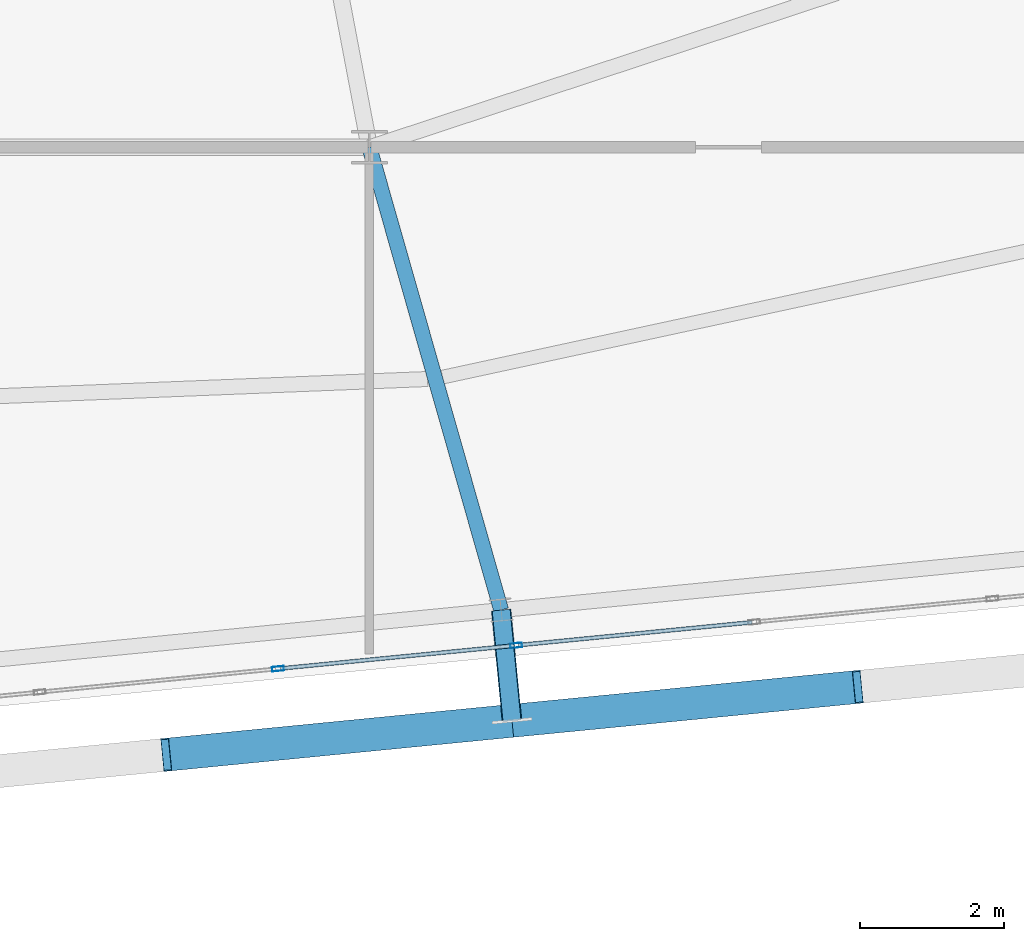
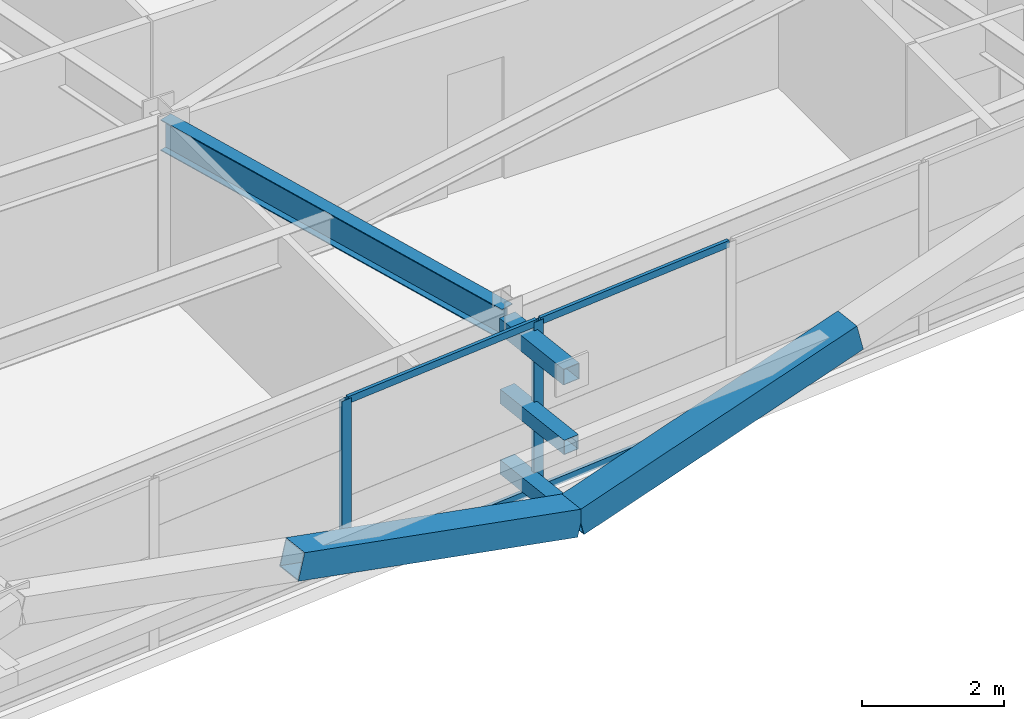
# One storey, part 17 of 53: 11 members, 1 beam, 1 element without a shape of its own.
"""IFC4 building model written with IfcOpenShell, lengths in metres."""

from ifc_helpers import new_model, si_unit, direction, frame, origin, origin_2d, place, context, subcontext, project, spatial, hollow_rectangle, i_section, extrude, source, transform, mapped, material, layer, layer_set, material_profile, profile_set, type_object, element, aggregate, save


model = new_model("IFC4")

# Units and contexts
model_context = context("Model", 3, precision=1e-05, world=origin(), true_north=direction((0.0, 1.0)))
body_context = subcontext(model_context, "Body", "Model", "MODEL_VIEW")
ifc_project = project(units=[si_unit("LENGTHUNIT", "METRE"), si_unit("AREAUNIT", "SQUARE_METRE"), si_unit("VOLUMEUNIT", "CUBIC_METRE"), si_unit("PLANEANGLEUNIT", "RADIAN"), si_unit("MASSUNIT", "GRAM", prefix="KILO")], contexts=[model_context])

# Site, building, storey
site_placement = place(None, origin())
site = spatial("IfcSite", under=ifc_project, at=site_placement, CompositionType="ELEMENT")
building_placement = place(site_placement, origin())
building = spatial("IfcBuilding", under=site, at=building_placement, Name="Taldren Reach Tower", CompositionType="ELEMENT")
storey_placement = place(building_placement, frame((0.0, 0.0, 84.0)))
storey = spatial("IfcBuildingStorey", under=building, at=storey_placement, Name="L25", CompositionType="ELEMENT", Elevation=84.0)

# Members
ifc_material_1 = material(Name="Steel Gr 450 (C450L0)", Category="steel")
ifc_material_profile_1 = material_profile(ifc_material_1, hollow_rectangle(XDim=0.27490234375, YDim=0.27490234375, WallThickness=0.00927734375, at=origin_2d()), Name="275x275x9.3SHS")
ifc_profile_set_1 = profile_set([ifc_material_profile_1], Name="Steel Gr 450 (C450L0)")
member_type_1 = type_object("IfcMemberType", Name="MB-TIE273", PredefinedType="STRUT", material=ifc_profile_set_1)
shared_shape_1 = source(origin(), body_context, "Body", "SweptSolid", [
    extrude(hollow_rectangle(XDim=0.27490234375, YDim=0.27490234375, WallThickness=0.00927734375, at=origin_2d()), origin(), (0.0, 0.0, 1.0), 1.5498046875),
])
member_1_placement = place(storey_placement, frame((43.83544921875, 2.75390625, 2.64990234375), z_axis=(0.097663201064, -0.995219523099, 0.0), x_axis=(0.995219523099, 0.097663201064, 0.0)))
element("IfcMember", 1, at=member_1_placement, inside=storey, type_object=member_type_1, Name="Exoskeleton diaphragm tie strut B2-S4 L25", PredefinedType="STRUT", context=body_context, shape_type="MappedRepresentation", body=[
    mapped(shared_shape_1, transform((0.0, 0.0, 0.0), scale=1.0)),
])
ifc_material_2 = material(Name="Steel Gr 350 (C350L0)", Category="steel")
ifc_material_profile_2 = material_profile(ifc_material_2, hollow_rectangle(XDim=0.25, YDim=0.25, WallThickness=0.010009765625, at=origin_2d()), Name="250x250x10.0SHS")
ifc_profile_set_2 = profile_set([ifc_material_profile_2], Name="Steel Gr 350 (C350L0)")
member_type_2 = type_object("IfcMemberType", Name="MB-POST250", PredefinedType="POST", material=ifc_profile_set_2)
shared_shape_2 = source(origin(), body_context, "Body", "SweptSolid", [
    extrude(hollow_rectangle(XDim=0.25, YDim=0.25, WallThickness=0.010009765625, at=origin_2d()), origin(), (0.0, 0.0, 1.0), 1.5498046875),
])
for number, where, z_axis, x_axis, name in (
    (2, (43.83544921875, 2.75390625, 0.219970703125), (0.097663201064, -0.995219523099, 0.0), (0.995219523099, 0.097663201064, 0.0), "Exoskeleton base diaphragm tie strut B2-S4 L25"),
    (3, (43.83544921875, 2.75390625, 1.43505859375), (0.097663201064, -0.995219523099, 0.0), (0.995219523099, 0.097663201064, 0.0), "Exoskeleton mid-tier diaphragm tie B2-S4 L25"),
):
    element("IfcMember", number, at=place(storey_placement, frame(where, z_axis=z_axis, x_axis=x_axis)), inside=storey, type_object=member_type_2, Name=name, PredefinedType="POST", context=body_context, shape_type="MappedRepresentation", body=[
        mapped(shared_shape_2, transform((0.0, 0.0, 0.0), scale=1.0)),
    ])

# Beam
ifc_material_3 = material(Name="Steel Gr 350 (350PLUS)", Category="steel")
ifc_material_profile_3 = material_profile(ifc_material_3, i_section(OverallWidth=0.208984375, OverallDepth=0.532958984375, WebThickness=0.01025390625, FlangeThickness=0.015625, at=origin_2d()), Name="530UB92.4")
ifc_profile_set_3 = profile_set([ifc_material_profile_3], Name="Steel Gr 350 (350PLUS)")
beam_type = type_object("IfcBeamType", Name="BM-UB530A", PredefinedType="BEAM", material=ifc_profile_set_3)
shared_shape_3 = source(origin(), body_context, "Body", "SweptSolid", [
    extrude(i_section(OverallWidth=0.208984375, OverallDepth=0.532958984375, WebThickness=0.01025390625, FlangeThickness=0.015625, at=origin_2d()), origin(), (0.0, 0.0, 1.0), 6.7021484375),
])
beam_placement = place(storey_placement, frame((42.0, 9.199951171875, 2.66357421875), z_axis=(0.273855026091, -0.961770983491, 0.0), x_axis=(0.961770983491, 0.273855026091, 0.0)))
element("IfcBeam", 4, at=beam_placement, inside=storey, type_object=beam_type, Name="Primary floor girder B2-S4 L25", PredefinedType="BEAM", context=body_context, shape_type="MappedRepresentation", body=[
    mapped(shared_shape_3, transform((0.0, 0.0, 0.0), scale=1.0)),
])

# Members
ifc_material_profile_4 = material_profile(ifc_material_1, hollow_rectangle(XDim=0.4599609375, YDim=0.4599609375, WallThickness=0.01611328125, at=origin_2d()), Name="460x460x16.0SHS")
ifc_profile_set_4 = profile_set([ifc_material_profile_4], Name="Steel Gr 450 (C450L0)")
member_type_3 = type_object("IfcMemberType", Name="MB-EXO457", PredefinedType="BRACE", material=ifc_profile_set_4)
shared_shape_4 = source(origin(), body_context, "Body", "SweptSolid", [
    extrude(hollow_rectangle(XDim=0.4599609375, YDim=0.4599609375, WallThickness=0.01611328125, at=origin_2d()), origin(), (0.0, 0.0, 1.0), 4.990234375),
])
for number, where, z_axis, x_axis, name in (
    (5, (43.98681640625, 1.21142578125, 0.219970703125), (-0.965271056716, -0.094667992638, 0.243494883389), (0.097605711627, -0.995225162995, 0.0), "Exoskeleton Diagrid Brace B2-S3 L25"),
    (6, (43.98681640625, 1.21142578125, 0.219970703125), (0.965275526283, 0.094619506732, 0.243496010862), (-0.097555749586, 0.995230061706, 0.0), "Exoskeleton Diagrid Brace B2-S4 L25"),
):
    element("IfcMember", number, at=place(storey_placement, frame(where, z_axis=z_axis, x_axis=x_axis)), inside=storey, type_object=member_type_3, Name=name, PredefinedType="BRACE", context=body_context, shape_type="MappedRepresentation", body=[
        mapped(shared_shape_4, transform((0.0, 0.0, 0.0), scale=1.0)),
    ])

# Curtain wall, members
ifc_material_4 = material(Name="Aluminium and Low-E Glass Unitised System", Category="aluminium")
ifc_layer = layer(ifc_material_4, 0.159912109375)
ifc_layer_set = layer_set([ifc_layer], Name="Aluminium and Low-E Glass Unitised System")
curtain_wall_type = type_object("IfcCurtainWallType", Name="CW-SYS-3", PredefinedType="NOTDEFINED", material=ifc_layer_set)
curtain_wall_placement = place(storey_placement, origin())
curtain_wall = element("IfcCurtainWall", 7, at=curtain_wall_placement, inside=storey, type_object=curtain_wall_type, Name="Unitised curtain wall CW-L25-S", PredefinedType="NOTDEFINED")
ifc_material_5 = material(Name="Anodised Aluminium 6063-T6", Category="aluminium")
ifc_material_profile_5 = material_profile(ifc_material_5, hollow_rectangle(XDim=0.06494140625, YDim=0.1650390625, WallThickness=0.00390625, at=origin_2d()), Name="ALU-165x65x4RHS")
ifc_profile_set_5 = profile_set([ifc_material_profile_5], Name="Anodised Aluminium 6063-T6")
member_type_4 = type_object("IfcMemberType", Name="CW-MUL-165", PredefinedType="MULLION", material=ifc_profile_set_5)
shared_shape_5 = source(origin(), body_context, "Body", "SweptSolid", [
    extrude(hollow_rectangle(XDim=0.06494140625, YDim=0.1650390625, WallThickness=0.00390625, at=origin_2d()), origin(), (0.0, 0.0, 1.0), 2.929931640625),
])
member_2_placement = place(storey_placement, frame((40.72705078125, 1.936767578125, 0.0), z_axis=(0.0, 0.0, 1.0), x_axis=(-0.097582999046, 0.995227390247, 0.0)))
member_2 = element("IfcMember", 8, at=member_2_placement, type_object=member_type_4, Name="CW-3 mullion 9", PredefinedType="MULLION", context=body_context, shape_type="MappedRepresentation", body=[
    mapped(shared_shape_5, transform((0.0, 0.0, 0.0), scale=1.0)),
])
member_3_placement = place(storey_placement, frame((44.044677734375, 2.261962890625, 0.0), z_axis=(0.0, 0.0, 1.0), x_axis=(-0.097582999046, 0.995227390247, 0.0)))
member_3 = element("IfcMember", 9, at=member_3_placement, type_object=member_type_4, Name="CW-3 mullion 10", PredefinedType="MULLION", context=body_context, shape_type="MappedRepresentation", body=[
    mapped(shared_shape_5, transform((0.0, 0.0, 0.0), scale=1.0)),
])
ifc_material_profile_6 = material_profile(ifc_material_5, hollow_rectangle(XDim=0.054931640625, YDim=0.1201171875, WallThickness=0.0029296875, at=origin_2d()), Name="ALU-120x55x3RHS")
ifc_profile_set_6 = profile_set([ifc_material_profile_6], Name="Anodised Aluminium 6063-T6")
member_type_5 = type_object("IfcMemberType", Name="CW-TRN-135", PredefinedType="USERDEFINED", material=ifc_profile_set_6)
shared_shape_6 = source(origin(), body_context, "Body", "SweptSolid", [
    extrude(hollow_rectangle(XDim=0.054931640625, YDim=0.1201171875, WallThickness=0.0029296875, at=origin_2d()), origin(), (0.0, 0.0, 1.0), 3.268310546875),
])
member_4_placement = place(storey_placement, frame((40.759521484375, 1.93994140625, 0.027587890625), z_axis=(0.99522980512, 0.097558367146, 0.0), x_axis=(-0.097558367146, 0.99522980512, 0.0)))
member_4 = element("IfcMember", 10, at=member_4_placement, type_object=member_type_5, Name="CW-3 transom 9.1", ObjectType="TRANSOM", PredefinedType="USERDEFINED", context=body_context, shape_type="MappedRepresentation", body=[
    mapped(shared_shape_6, transform((0.0, 0.0, 0.0), scale=1.0)),
])
member_5_placement = place(storey_placement, frame((40.759521484375, 1.93994140625, 2.902587890625), z_axis=(0.99522980512, 0.097558367146, 0.0), x_axis=(-0.097558367146, 0.99522980512, 0.0)))
member_5 = element("IfcMember", 11, at=member_5_placement, type_object=member_type_5, Name="CW-3 transom 9.2", ObjectType="TRANSOM", PredefinedType="USERDEFINED", context=body_context, shape_type="MappedRepresentation", body=[
    mapped(shared_shape_6, transform((0.0, 0.0, 0.0), scale=1.0)),
])
member_6_placement = place(storey_placement, frame((44.076904296875, 2.26513671875, 0.027587890625), z_axis=(0.99522980512, 0.097558367146, 0.0), x_axis=(-0.097558367146, 0.99522980512, 0.0)))
member_6 = element("IfcMember", 12, at=member_6_placement, type_object=member_type_5, Name="CW-3 transom 10.1", ObjectType="TRANSOM", PredefinedType="USERDEFINED", context=body_context, shape_type="MappedRepresentation", body=[
    mapped(shared_shape_6, transform((0.0, 0.0, 0.0), scale=1.0)),
])
member_7_placement = place(storey_placement, frame((44.076904296875, 2.26513671875, 2.902587890625), z_axis=(0.99522980512, 0.097558367146, 0.0), x_axis=(-0.097558367146, 0.99522980512, 0.0)))
member_7 = element("IfcMember", 13, at=member_7_placement, type_object=member_type_5, Name="CW-3 transom 10.2", ObjectType="TRANSOM", PredefinedType="USERDEFINED", context=body_context, shape_type="MappedRepresentation", body=[
    mapped(shared_shape_6, transform((0.0, 0.0, 0.0), scale=1.0)),
])
aggregate(curtain_wall, [member_2, member_3, member_4, member_5, member_6, member_7])

save(model, "model.ifc")
